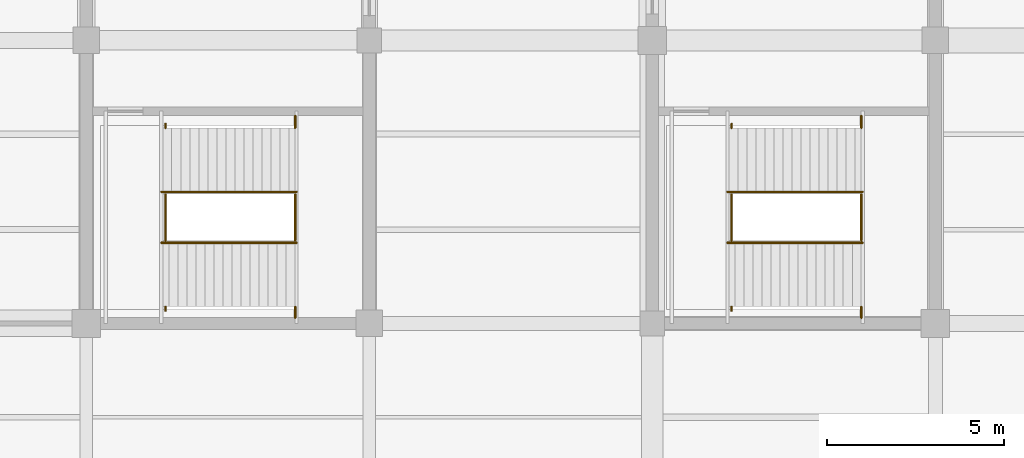
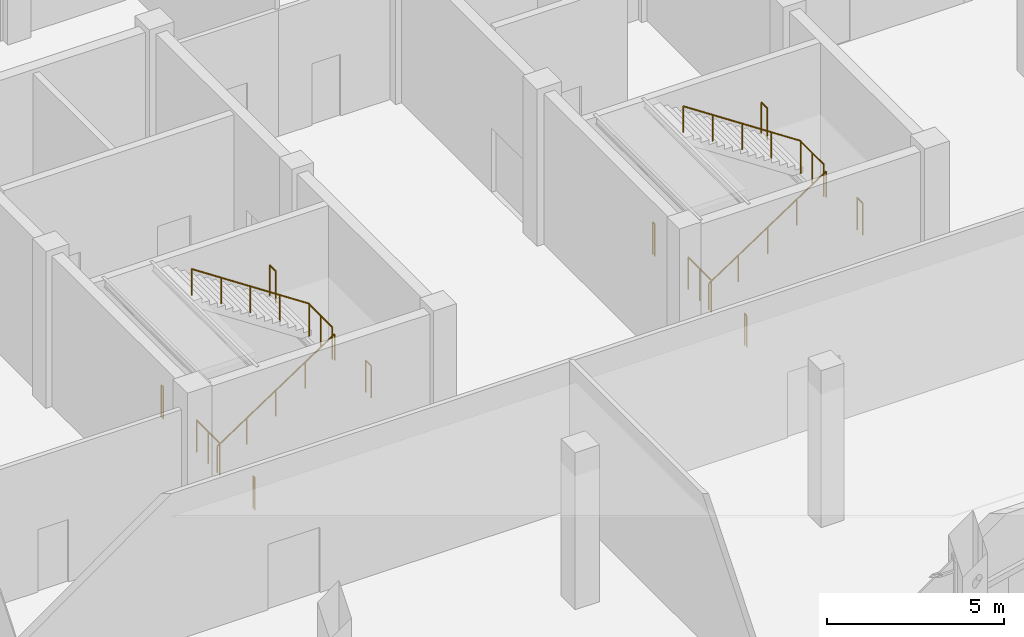
# One storey, part 116 of 122: 16 railings, 2 elements without a shape of their own.
"""IFC4 building model written with IfcOpenShell, lengths in metres."""

from ifc_helpers import new_model, si_unit, direction, frame, origin, origin_2d, place, context, subcontext, project, spatial, circle, extrude, material, layer, layer_set, type_object, element, aggregate, save


model = new_model("IFC4")

# Units and contexts
model_context = context("Model", 3, precision=1e-05, world=origin(), true_north=direction((0.0, 1.0)))
body_context = subcontext(model_context, "Body", "Model", "MODEL_VIEW")
ifc_project = project(units=[si_unit("LENGTHUNIT", "METRE"), si_unit("AREAUNIT", "SQUARE_METRE"), si_unit("VOLUMEUNIT", "CUBIC_METRE"), si_unit("PLANEANGLEUNIT", "RADIAN"), si_unit("MASSUNIT", "GRAM", prefix="KILO")], contexts=[model_context])

# Site, building, storey
site_placement = place(None, origin())
site = spatial("IfcSite", under=ifc_project, at=site_placement, CompositionType="ELEMENT")
building_placement = place(site_placement, origin())
building = spatial("IfcBuilding", under=site, at=building_placement, Name="Tenunan Teduh Sports Hall", CompositionType="ELEMENT")
storey_placement = place(building_placement, frame((0.0, 0.0, 5.39990234375)))
storey = spatial("IfcBuildingStorey", under=building, at=storey_placement, Name="L01", CompositionType="ELEMENT", Elevation=5.39990234375)

# Railings
ifc_material_1 = material(Name="Galvanised and powder-coated steel", Category="steel")
ifc_layer_1 = layer(ifc_material_1, 0.070068359375)
ifc_layer_set_1 = layer_set([ifc_layer_1], Name="Galvanised and powder-coated steel")
railing_type_1 = type_object("IfcRailingType", Name="RLG-EXT-GRD", PredefinedType="GUARDRAIL", material=ifc_layer_set_1)
railing_1_placement = place(storey_placement, frame((16.239990234375, 96.35009765625, 0.0)))
element("IfcRailing", 1, at=railing_1_placement, inside=storey, type_object=railing_type_1, Name="RLG-STW-WLND-W1-L00", PredefinedType="GUARDRAIL", context=body_context, shape_type="SweptSolid", body=[
    extrude(circle(Radius=0.02392578125, at=origin_2d()), frame((0.0, 0.0, 1.09619140625), z_axis=(0.0, 1.0, 0.0), x_axis=(-1.0, 0.0, 0.0)), (0.0, 0.0, 1.0), 1.2998046875),
    extrude(circle(Radius=0.02099609375, at=origin_2d()), origin(), (0.0, 0.0, 1.0), 1.072021484375),
    extrude(circle(Radius=0.02099609375, at=origin_2d()), frame((0.0, 0.64990234375, 0.0)), (0.0, 0.0, 1.0), 1.072021484375),
    extrude(circle(Radius=0.02099609375, at=origin_2d()), frame((0.0, 1.2998046875, 0.0)), (0.0, 0.0, 1.0), 1.072021484375),
])
for number, where, name in (
    (2, (16.239990234375, 94.360107421875, 0.0), "RLG-STW-WLNDS-W1-L00"),
    (3, (16.239990234375, 99.530029296875, 0.0), "RLG-STW-WLNDN-W1-L00"),
):
    element("IfcRailing", number, at=place(storey_placement, frame(where)), inside=storey, type_object=railing_type_1, Name=name, PredefinedType="GUARDRAIL", context=body_context, shape_type="SweptSolid", body=[
        extrude(circle(Radius=0.02392578125, at=origin_2d()), frame((0.0, 0.0, 1.09619140625), z_axis=(0.0, 1.0, 0.0), x_axis=(-1.0, 0.0, 0.0)), (0.0, 0.0, 1.0), 0.10986328125),
        extrude(circle(Radius=0.02099609375, at=origin_2d()), origin(), (0.0, 0.0, 1.0), 1.072021484375),
        extrude(circle(Radius=0.02099609375, at=origin_2d()), frame((0.0, 0.10986328125, 0.0)), (0.0, 0.0, 1.0), 1.072021484375),
    ])
railing_2_placement = place(storey_placement, frame((19.905029296875, 96.35009765625, 2.7001953125)))
element("IfcRailing", 4, at=railing_2_placement, inside=storey, type_object=railing_type_1, Name="RLG-STW-MID-W1-L01", PredefinedType="GUARDRAIL", context=body_context, shape_type="SweptSolid", body=[
    extrude(circle(Radius=0.02392578125, at=origin_2d()), frame((0.0, 0.0, 1.09619140625), z_axis=(0.0, 1.0, 0.0), x_axis=(-1.0, 0.0, 0.0)), (0.0, 0.0, 1.0), 1.2998046875),
    extrude(circle(Radius=0.02099609375, at=origin_2d()), origin(), (0.0, 0.0, 1.0), 1.072021484375),
    extrude(circle(Radius=0.02099609375, at=origin_2d()), frame((0.0, 0.64990234375, 0.0)), (0.0, 0.0, 1.0), 1.072021484375),
    extrude(circle(Radius=0.02099609375, at=origin_2d()), frame((0.0, 1.2998046875, 0.0)), (0.0, 0.0, 1.0), 1.072021484375),
])
railing_3_placement = place(storey_placement, frame((19.905029296875, 94.159912109375, 2.7001953125)))
element("IfcRailing", 5, at=railing_3_placement, inside=storey, type_object=railing_type_1, Name="RLG-STW-MIDS-W1-L01", PredefinedType="GUARDRAIL", context=body_context, shape_type="SweptSolid", body=[
    extrude(circle(Radius=0.02392578125, at=origin_2d()), frame((0.0, 0.0, 1.09619140625), z_axis=(0.0, 1.0, 0.0), x_axis=(-1.0, 0.0, 0.0)), (0.0, 0.0, 1.0), 0.31005859375),
    extrude(circle(Radius=0.02099609375, at=origin_2d()), origin(), (0.0, 0.0, 1.0), 1.072021484375),
    extrude(circle(Radius=0.02099609375, at=origin_2d()), frame((0.0, 0.31005859375, 0.0)), (0.0, 0.0, 1.0), 1.072021484375),
])
railing_4_placement = place(storey_placement, frame((19.905029296875, 99.530029296875, 2.7001953125)))
element("IfcRailing", 6, at=railing_4_placement, inside=storey, type_object=railing_type_1, Name="RLG-STW-MIDN-W1-L01", PredefinedType="GUARDRAIL", context=body_context, shape_type="SweptSolid", body=[
    extrude(circle(Radius=0.02392578125, at=origin_2d()), frame((0.0, 0.0, 1.09619140625), z_axis=(0.0, 1.0, 0.0), x_axis=(-1.0, 0.0, 0.0)), (0.0, 0.0, 1.0), 0.340087890625),
    extrude(circle(Radius=0.02099609375, at=origin_2d()), origin(), (0.0, 0.0, 1.0), 1.072021484375),
    extrude(circle(Radius=0.02099609375, at=origin_2d()), frame((0.0, 0.340087890625, 0.0)), (0.0, 0.0, 1.0), 1.072021484375),
])
railing_5_placement = place(storey_placement, frame((32.239990234375, 96.35009765625, 0.0)))
element("IfcRailing", 7, at=railing_5_placement, inside=storey, type_object=railing_type_1, Name="RLG-STW-WLND-W2-L00", PredefinedType="GUARDRAIL", context=body_context, shape_type="SweptSolid", body=[
    extrude(circle(Radius=0.02392578125, at=origin_2d()), frame((0.0, 0.0, 1.09619140625), z_axis=(0.0, 1.0, 0.0), x_axis=(-1.0, 0.0, 0.0)), (0.0, 0.0, 1.0), 1.2998046875),
    extrude(circle(Radius=0.02099609375, at=origin_2d()), origin(), (0.0, 0.0, 1.0), 1.072021484375),
    extrude(circle(Radius=0.02099609375, at=origin_2d()), frame((0.0, 0.64990234375, 0.0)), (0.0, 0.0, 1.0), 1.072021484375),
    extrude(circle(Radius=0.02099609375, at=origin_2d()), frame((0.0, 1.2998046875, 0.0)), (0.0, 0.0, 1.0), 1.072021484375),
])
for number, where, name in (
    (8, (32.239990234375, 94.360107421875, 0.0), "RLG-STW-WLNDS-W2-L00"),
    (9, (32.239990234375, 99.530029296875, 0.0), "RLG-STW-WLNDN-W2-L00"),
):
    element("IfcRailing", number, at=place(storey_placement, frame(where)), inside=storey, type_object=railing_type_1, Name=name, PredefinedType="GUARDRAIL", context=body_context, shape_type="SweptSolid", body=[
        extrude(circle(Radius=0.02392578125, at=origin_2d()), frame((0.0, 0.0, 1.09619140625), z_axis=(0.0, 1.0, 0.0), x_axis=(-1.0, 0.0, 0.0)), (0.0, 0.0, 1.0), 0.10986328125),
        extrude(circle(Radius=0.02099609375, at=origin_2d()), origin(), (0.0, 0.0, 1.0), 1.072021484375),
        extrude(circle(Radius=0.02099609375, at=origin_2d()), frame((0.0, 0.10986328125, 0.0)), (0.0, 0.0, 1.0), 1.072021484375),
    ])
railing_6_placement = place(storey_placement, frame((35.905029296875, 96.35009765625, 2.7001953125)))
element("IfcRailing", 10, at=railing_6_placement, inside=storey, type_object=railing_type_1, Name="RLG-STW-MID-W2-L01", PredefinedType="GUARDRAIL", context=body_context, shape_type="SweptSolid", body=[
    extrude(circle(Radius=0.02392578125, at=origin_2d()), frame((0.0, 0.0, 1.09619140625), z_axis=(0.0, 1.0, 0.0), x_axis=(-1.0, 0.0, 0.0)), (0.0, 0.0, 1.0), 1.2998046875),
    extrude(circle(Radius=0.02099609375, at=origin_2d()), origin(), (0.0, 0.0, 1.0), 1.072021484375),
    extrude(circle(Radius=0.02099609375, at=origin_2d()), frame((0.0, 0.64990234375, 0.0)), (0.0, 0.0, 1.0), 1.072021484375),
    extrude(circle(Radius=0.02099609375, at=origin_2d()), frame((0.0, 1.2998046875, 0.0)), (0.0, 0.0, 1.0), 1.072021484375),
])
railing_7_placement = place(storey_placement, frame((35.905029296875, 94.159912109375, 2.7001953125)))
element("IfcRailing", 11, at=railing_7_placement, inside=storey, type_object=railing_type_1, Name="RLG-STW-MIDS-W2-L01", PredefinedType="GUARDRAIL", context=body_context, shape_type="SweptSolid", body=[
    extrude(circle(Radius=0.02392578125, at=origin_2d()), frame((0.0, 0.0, 1.09619140625), z_axis=(0.0, 1.0, 0.0), x_axis=(-1.0, 0.0, 0.0)), (0.0, 0.0, 1.0), 0.31005859375),
    extrude(circle(Radius=0.02099609375, at=origin_2d()), origin(), (0.0, 0.0, 1.0), 1.072021484375),
    extrude(circle(Radius=0.02099609375, at=origin_2d()), frame((0.0, 0.31005859375, 0.0)), (0.0, 0.0, 1.0), 1.072021484375),
])
railing_8_placement = place(storey_placement, frame((35.905029296875, 99.530029296875, 2.7001953125)))
element("IfcRailing", 12, at=railing_8_placement, inside=storey, type_object=railing_type_1, Name="RLG-STW-MIDN-W2-L01", PredefinedType="GUARDRAIL", context=body_context, shape_type="SweptSolid", body=[
    extrude(circle(Radius=0.02392578125, at=origin_2d()), frame((0.0, 0.0, 1.09619140625), z_axis=(0.0, 1.0, 0.0), x_axis=(-1.0, 0.0, 0.0)), (0.0, 0.0, 1.0), 0.340087890625),
    extrude(circle(Radius=0.02099609375, at=origin_2d()), origin(), (0.0, 0.0, 1.0), 1.072021484375),
    extrude(circle(Radius=0.02099609375, at=origin_2d()), frame((0.0, 0.340087890625, 0.0)), (0.0, 0.0, 1.0), 1.072021484375),
])

# Stair, railings
ifc_material_2 = material(Name="Precast concrete C40/50", Category="concrete")
stair_type = type_object("IfcStairType", Name="STR-CORE-54", PredefinedType="HALF_TURN_STAIR", material=ifc_material_2)
stair_1_placement = place(storey_placement, origin())
stair_1 = element("IfcStair", 13, at=stair_1_placement, inside=storey, type_object=stair_type, Name="STR-W1-L01", PredefinedType="HALF_TURN_STAIR")
ifc_material_3 = material(Name="Brushed stainless steel", Category="steel")
ifc_layer_2 = layer(ifc_material_3, 0.050048828125)
ifc_layer_set_2 = layer_set([ifc_layer_2], Name="Brushed stainless steel")
railing_type_2 = type_object("IfcRailingType", Name="RLG-STAIR-HR", PredefinedType="HANDRAIL", material=ifc_layer_set_2)
railing_9_placement = place(storey_placement, frame((16.1201171875, 96.280029296875, 0.1689453125)))
railing_9 = element("IfcRailing", 14, at=railing_9_placement, type_object=railing_type_2, Name="STR-W1-L01-HR1", PredefinedType="HANDRAIL", context=body_context, shape_type="SweptSolid", body=[
    extrude(circle(Radius=0.02392578125, at=origin_2d()), frame((0.0, 0.0, 0.89599609375), z_axis=(0.833928963496, 0.0, 0.551871800187), x_axis=(0.0, 1.0, 0.0)), (0.0, 0.0, 1.0), 4.586669921875),
    extrude(circle(Radius=0.02099609375, at=origin_2d()), origin(), (0.0, 0.0, 1.0), 0.871826171875),
    extrude(circle(Radius=0.02099609375, at=origin_2d()), frame((0.956298828125, 0.0, 0.6328125)), (0.0, 0.0, 1.0), 0.871826171875),
    extrude(circle(Radius=0.02099609375, at=origin_2d()), frame((1.91259765625, 0.0, 1.265625)), (0.0, 0.0, 1.0), 0.871826171875),
    extrude(circle(Radius=0.02099609375, at=origin_2d()), frame((2.86865234375, 0.0, 1.8984375)), (0.0, 0.0, 1.0), 0.871826171875),
    extrude(circle(Radius=0.02099609375, at=origin_2d()), frame((3.824951171875, 0.0, 2.53125)), (0.0, 0.0, 1.0), 0.871826171875),
])
railing_10_placement = place(storey_placement, frame((19.945068359375, 97.719970703125, 2.868896484375)))
railing_10 = element("IfcRailing", 15, at=railing_10_placement, type_object=railing_type_2, Name="STR-W1-L01-HR2", PredefinedType="HANDRAIL", context=body_context, shape_type="SweptSolid", body=[
    extrude(circle(Radius=0.02392578125, at=origin_2d()), frame((0.0, 0.0, 0.89599609375), z_axis=(-0.833928963496, 0.0, 0.551871800187), x_axis=(0.0, -1.0, 0.0)), (0.0, 0.0, 1.0), 4.586669921875),
    extrude(circle(Radius=0.02099609375, at=origin_2d()), origin(), (0.0, 0.0, 1.0), 0.871826171875),
    extrude(circle(Radius=0.02099609375, at=origin_2d()), frame((-0.956298828125, 0.0, 0.6328125)), (0.0, 0.0, 1.0), 0.871826171875),
    extrude(circle(Radius=0.02099609375, at=origin_2d()), frame((-1.91259765625, 0.0, 1.265625)), (0.0, 0.0, 1.0), 0.871826171875),
    extrude(circle(Radius=0.02099609375, at=origin_2d()), frame((-2.86865234375, 0.0, 1.8984375)), (0.0, 0.0, 1.0), 0.871826171875),
    extrude(circle(Radius=0.02099609375, at=origin_2d()), frame((-3.824951171875, 0.0, 2.53125)), (0.0, 0.0, 1.0), 0.871826171875),
])
aggregate(stair_1, [railing_9, railing_10])

stair_2_placement = place(storey_placement, origin())
stair_2 = element("IfcStair", 16, at=stair_2_placement, inside=storey, type_object=stair_type, Name="STR-W2-L01", PredefinedType="HALF_TURN_STAIR")
railing_11_placement = place(storey_placement, frame((32.1201171875, 96.280029296875, 0.1689453125)))
railing_11 = element("IfcRailing", 17, at=railing_11_placement, type_object=railing_type_2, Name="STR-W2-L01-HR1", PredefinedType="HANDRAIL", context=body_context, shape_type="SweptSolid", body=[
    extrude(circle(Radius=0.02392578125, at=origin_2d()), frame((0.0, 0.0, 0.89599609375), z_axis=(0.833928963496, 0.0, 0.551871800187), x_axis=(0.0, 1.0, 0.0)), (0.0, 0.0, 1.0), 4.586669921875),
    extrude(circle(Radius=0.02099609375, at=origin_2d()), origin(), (0.0, 0.0, 1.0), 0.871826171875),
    extrude(circle(Radius=0.02099609375, at=origin_2d()), frame((0.956298828125, 0.0, 0.6328125)), (0.0, 0.0, 1.0), 0.871826171875),
    extrude(circle(Radius=0.02099609375, at=origin_2d()), frame((1.91259765625, 0.0, 1.265625)), (0.0, 0.0, 1.0), 0.871826171875),
    extrude(circle(Radius=0.02099609375, at=origin_2d()), frame((2.86865234375, 0.0, 1.8984375)), (0.0, 0.0, 1.0), 0.871826171875),
    extrude(circle(Radius=0.02099609375, at=origin_2d()), frame((3.824951171875, 0.0, 2.53125)), (0.0, 0.0, 1.0), 0.871826171875),
])
railing_12_placement = place(storey_placement, frame((35.945068359375, 97.719970703125, 2.868896484375)))
railing_12 = element("IfcRailing", 18, at=railing_12_placement, type_object=railing_type_2, Name="STR-W2-L01-HR2", PredefinedType="HANDRAIL", context=body_context, shape_type="SweptSolid", body=[
    extrude(circle(Radius=0.02392578125, at=origin_2d()), frame((0.0, 0.0, 0.89599609375), z_axis=(-0.833928963496, 0.0, 0.551871800187), x_axis=(0.0, -1.0, 0.0)), (0.0, 0.0, 1.0), 4.586669921875),
    extrude(circle(Radius=0.02099609375, at=origin_2d()), origin(), (0.0, 0.0, 1.0), 0.871826171875),
    extrude(circle(Radius=0.02099609375, at=origin_2d()), frame((-0.956298828125, 0.0, 0.6328125)), (0.0, 0.0, 1.0), 0.871826171875),
    extrude(circle(Radius=0.02099609375, at=origin_2d()), frame((-1.91259765625, 0.0, 1.265625)), (0.0, 0.0, 1.0), 0.871826171875),
    extrude(circle(Radius=0.02099609375, at=origin_2d()), frame((-2.86865234375, 0.0, 1.8984375)), (0.0, 0.0, 1.0), 0.871826171875),
    extrude(circle(Radius=0.02099609375, at=origin_2d()), frame((-3.824951171875, 0.0, 2.53125)), (0.0, 0.0, 1.0), 0.871826171875),
])
aggregate(stair_2, [railing_11, railing_12])

save(model, "model.ifc")
